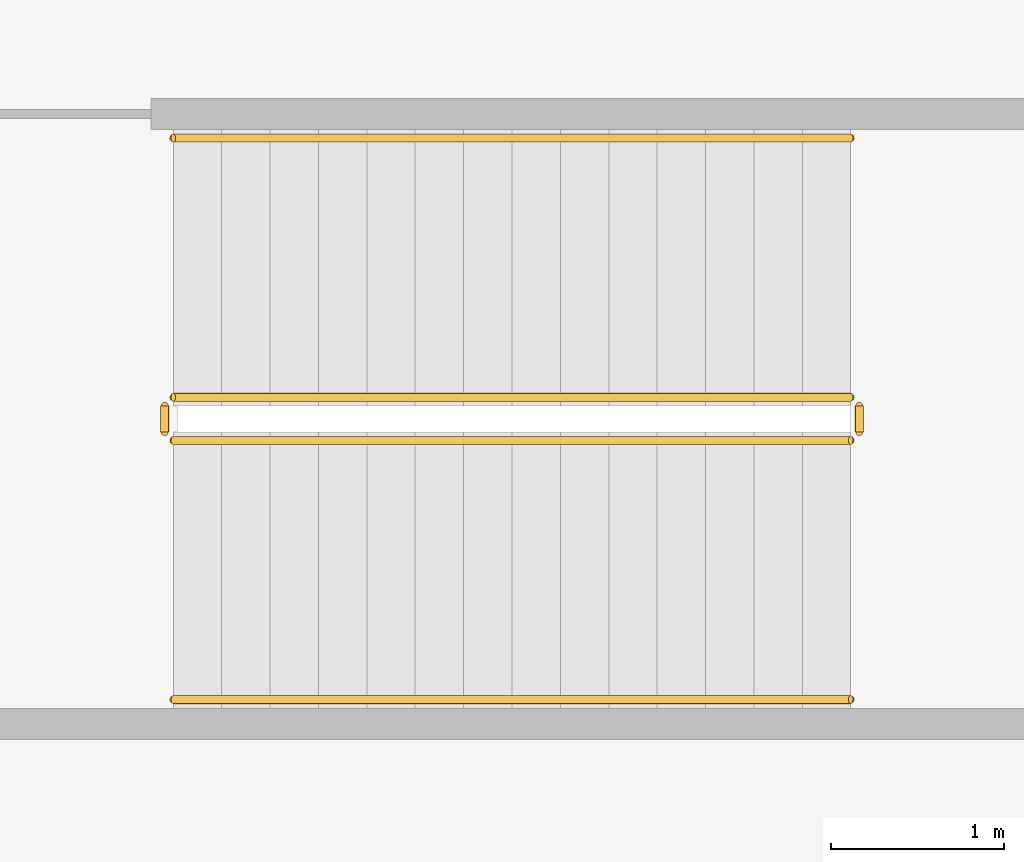
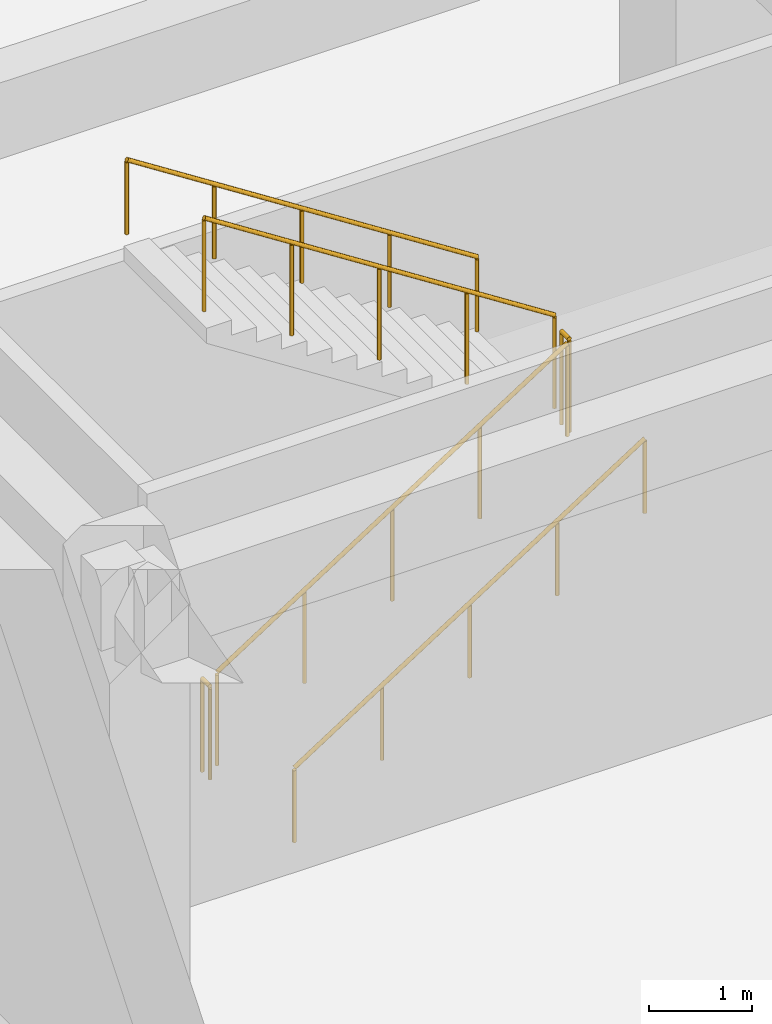
# One storey, part 10 of 14: 6 railings.
"""IFC4 building model written with IfcOpenShell, lengths in metres."""

from ifc_helpers import new_model, si_unit, direction, frame, origin, origin_2d, place, context, subcontext, project, spatial, circle, extrude, material, type_object, element, save


model = new_model("IFC4")

# Units and contexts
model_context = context("Model", 3, precision=1e-05, world=origin(), true_north=direction((0.0, 1.0)))
body_context = subcontext(model_context, "Body", "Model", "MODEL_VIEW")
ifc_project = project(units=[si_unit("LENGTHUNIT", "METRE"), si_unit("AREAUNIT", "SQUARE_METRE"), si_unit("VOLUMEUNIT", "CUBIC_METRE"), si_unit("PLANEANGLEUNIT", "RADIAN"), si_unit("MASSUNIT", "GRAM", prefix="KILO")], contexts=[model_context])

# Site, building, storey
site_placement = place(None, origin())
site = spatial("IfcSite", under=ifc_project, at=site_placement, CompositionType="ELEMENT")
building_placement = place(site_placement, origin())
building = spatial("IfcBuilding", under=site, at=building_placement, Name="Saevonmaru Cultural Tower", CompositionType="ELEMENT")
storey_placement = place(building_placement, frame((0.0, 0.0, -5.39990234375)))
storey = spatial("IfcBuildingStorey", under=building, at=storey_placement, Name="B1", CompositionType="ELEMENT", Elevation=-5.39990234375)

# Railings
ifc_material_1 = material(Name="Architectural Painted Steel", Category="steel")
railing_type_1 = type_object("IfcRailingType", Name="RL-STAIR-GUARD", PredefinedType="GUARDRAIL", material=ifc_material_1)
railing_1_placement = place(storey_placement, frame((3.800048828125, 10.75, 0.179931640625)))
element("IfcRailing", 1, at=railing_1_placement, inside=storey, type_object=railing_type_1, Name="B1 SST-1 stair guard 1", PredefinedType="GUARDRAIL", context=body_context, shape_type="SweptSolid", body=[
    extrude(circle(Radius=0.02392578125, at=origin_2d()), frame((0.0, 0.0, 1.09619140625), z_axis=(0.841171666519, 0.0, 0.540768182723), x_axis=(0.0, 1.0, 0.0)), (0.0, 0.0, 1.0), 4.66015625),
    extrude(circle(Radius=0.02099609375, at=origin_2d()), origin(), (0.0, 0.0, 1.0), 1.072021484375),
    extrude(circle(Radius=0.02099609375, at=origin_2d()), frame((0.97998046875, 0.0, 0.6298828125)), (0.0, 0.0, 1.0), 1.072021484375),
    extrude(circle(Radius=0.02099609375, at=origin_2d()), frame((1.9599609375, 0.0, 1.260009765625)), (0.0, 0.0, 1.0), 1.072021484375),
    extrude(circle(Radius=0.02099609375, at=origin_2d()), frame((2.93994140625, 0.0, 1.89013671875)), (0.0, 0.0, 1.0), 1.072021484375),
    extrude(circle(Radius=0.02099609375, at=origin_2d()), frame((3.919921875, 0.0, 2.52001953125)), (0.0, 0.0, 1.0), 1.072021484375),
])
railing_2_placement = place(storey_placement, frame((7.77001953125, 10.800048828125, 2.699951171875)))
element("IfcRailing", 2, at=railing_2_placement, inside=storey, type_object=railing_type_1, Name="B1 SST-1 stair guard 2", PredefinedType="GUARDRAIL", context=body_context, shape_type="SweptSolid", body=[
    extrude(circle(Radius=0.02392578125, at=origin_2d()), frame((0.0, 0.0, 1.09619140625), z_axis=(0.0, 1.0, 0.0), x_axis=(-1.0, 0.0, 0.0)), (0.0, 0.0, 1.0), 0.14990234375),
    extrude(circle(Radius=0.02099609375, at=origin_2d()), origin(), (0.0, 0.0, 1.0), 1.072021484375),
    extrude(circle(Radius=0.02099609375, at=origin_2d()), frame((0.0, 0.14990234375, 0.0)), (0.0, 0.0, 1.0), 1.072021484375),
])
railing_3_placement = place(storey_placement, frame((7.719970703125, 11.0, 2.8798828125)))
element("IfcRailing", 3, at=railing_3_placement, inside=storey, type_object=railing_type_1, Name="B1 SST-1 stair guard 3", PredefinedType="GUARDRAIL", context=body_context, shape_type="SweptSolid", body=[
    extrude(circle(Radius=0.02392578125, at=origin_2d()), frame((0.0, 0.0, 1.09619140625), z_axis=(-0.841171666519, 0.0, 0.540768182723), x_axis=(0.0, -1.0, 0.0)), (0.0, 0.0, 1.0), 4.66015625),
    extrude(circle(Radius=0.02099609375, at=origin_2d()), origin(), (0.0, 0.0, 1.0), 1.072021484375),
    extrude(circle(Radius=0.02099609375, at=origin_2d()), frame((-0.97998046875, 0.0, 0.6298828125)), (0.0, 0.0, 1.0), 1.072021484375),
    extrude(circle(Radius=0.02099609375, at=origin_2d()), frame((-1.9599609375, 0.0, 1.260009765625)), (0.0, 0.0, 1.0), 1.072021484375),
    extrude(circle(Radius=0.02099609375, at=origin_2d()), frame((-2.93994140625, 0.0, 1.89013671875)), (0.0, 0.0, 1.0), 1.072021484375),
    extrude(circle(Radius=0.02099609375, at=origin_2d()), frame((-3.919921875, 0.0, 2.52001953125)), (0.0, 0.0, 1.0), 1.072021484375),
])
railing_4_placement = place(storey_placement, frame((3.75, 10.800048828125, 0.0)))
element("IfcRailing", 4, at=railing_4_placement, inside=storey, type_object=railing_type_1, Name="B1 SST-1 stair guard 4", PredefinedType="GUARDRAIL", context=body_context, shape_type="SweptSolid", body=[
    extrude(circle(Radius=0.02392578125, at=origin_2d()), frame((0.0, 0.0, 1.09619140625), z_axis=(0.0, 1.0, 0.0), x_axis=(-1.0, 0.0, 0.0)), (0.0, 0.0, 1.0), 0.14990234375),
    extrude(circle(Radius=0.02099609375, at=origin_2d()), origin(), (0.0, 0.0, 1.0), 1.072021484375),
    extrude(circle(Radius=0.02099609375, at=origin_2d()), frame((0.0, 0.14990234375, 0.0)), (0.0, 0.0, 1.0), 1.072021484375),
])
ifc_material_2 = material(Name="Satin Bronze Anodised Aluminium", Category="aluminium")
railing_type_2 = type_object("IfcRailingType", Name="RL-STAIR-HANDRAIL", PredefinedType="HANDRAIL", material=ifc_material_2)
railing_5_placement = place(storey_placement, frame((3.800048828125, 9.25, 0.179931640625)))
element("IfcRailing", 5, at=railing_5_placement, inside=storey, type_object=railing_type_2, Name="B1 SST-1 stair handrail 1", PredefinedType="HANDRAIL", context=body_context, shape_type="SweptSolid", body=[
    extrude(circle(Radius=0.02392578125, at=origin_2d()), frame((0.0, 0.0, 0.8759765625), z_axis=(0.841171666519, 0.0, 0.540768182723), x_axis=(0.0, 1.0, 0.0)), (0.0, 0.0, 1.0), 4.66015625),
    extrude(circle(Radius=0.02099609375, at=origin_2d()), origin(), (0.0, 0.0, 1.0), 0.851806640625),
    extrude(circle(Radius=0.02099609375, at=origin_2d()), frame((0.97998046875, 0.0, 0.6298828125)), (0.0, 0.0, 1.0), 0.851806640625),
    extrude(circle(Radius=0.02099609375, at=origin_2d()), frame((1.9599609375, 0.0, 1.260009765625)), (0.0, 0.0, 1.0), 0.851806640625),
    extrude(circle(Radius=0.02099609375, at=origin_2d()), frame((2.93994140625, 0.0, 1.89013671875)), (0.0, 0.0, 1.0), 0.851806640625),
    extrude(circle(Radius=0.02099609375, at=origin_2d()), frame((3.919921875, 0.0, 2.52001953125)), (0.0, 0.0, 1.0), 0.851806640625),
])
railing_6_placement = place(storey_placement, frame((7.719970703125, 12.5, 2.8798828125)))
element("IfcRailing", 6, at=railing_6_placement, inside=storey, type_object=railing_type_2, Name="B1 SST-1 stair handrail 2", PredefinedType="HANDRAIL", context=body_context, shape_type="SweptSolid", body=[
    extrude(circle(Radius=0.02392578125, at=origin_2d()), frame((0.0, 0.0, 0.8759765625), z_axis=(-0.841171666519, 0.0, 0.540768182723), x_axis=(0.0, -1.0, 0.0)), (0.0, 0.0, 1.0), 4.66015625),
    extrude(circle(Radius=0.02099609375, at=origin_2d()), origin(), (0.0, 0.0, 1.0), 0.851806640625),
    extrude(circle(Radius=0.02099609375, at=origin_2d()), frame((-0.97998046875, 0.0, 0.6298828125)), (0.0, 0.0, 1.0), 0.851806640625),
    extrude(circle(Radius=0.02099609375, at=origin_2d()), frame((-1.9599609375, 0.0, 1.260009765625)), (0.0, 0.0, 1.0), 0.851806640625),
    extrude(circle(Radius=0.02099609375, at=origin_2d()), frame((-2.93994140625, 0.0, 1.89013671875)), (0.0, 0.0, 1.0), 0.851806640625),
    extrude(circle(Radius=0.02099609375, at=origin_2d()), frame((-3.919921875, 0.0, 2.52001953125)), (0.0, 0.0, 1.0), 0.851806640625),
])

save(model, "model.ifc")
